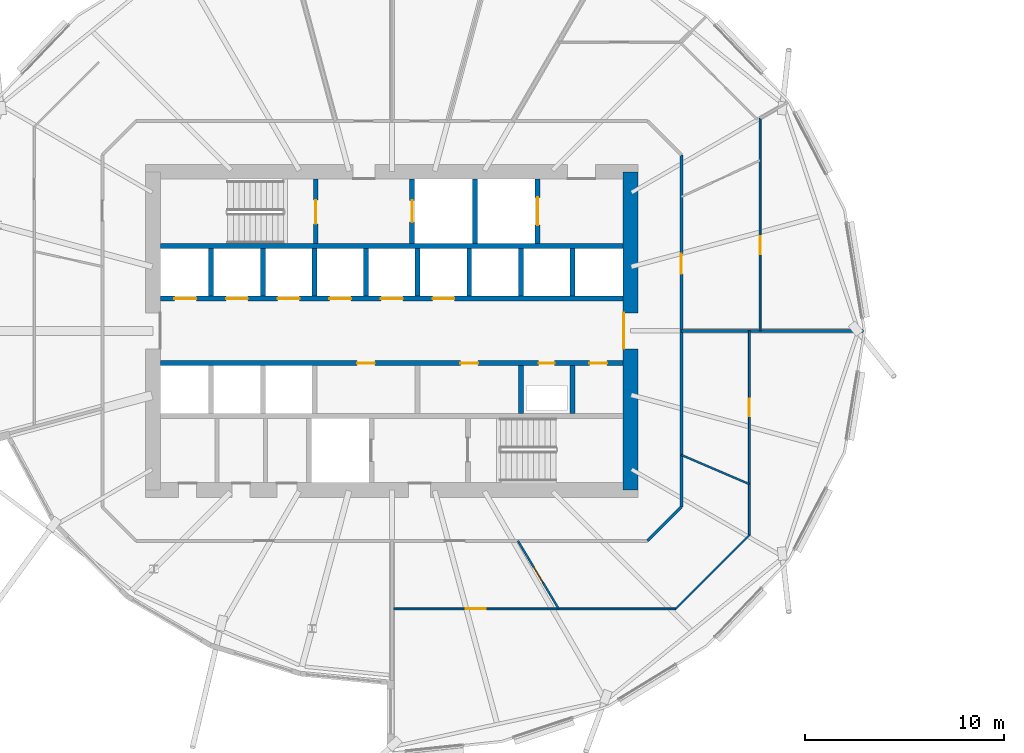
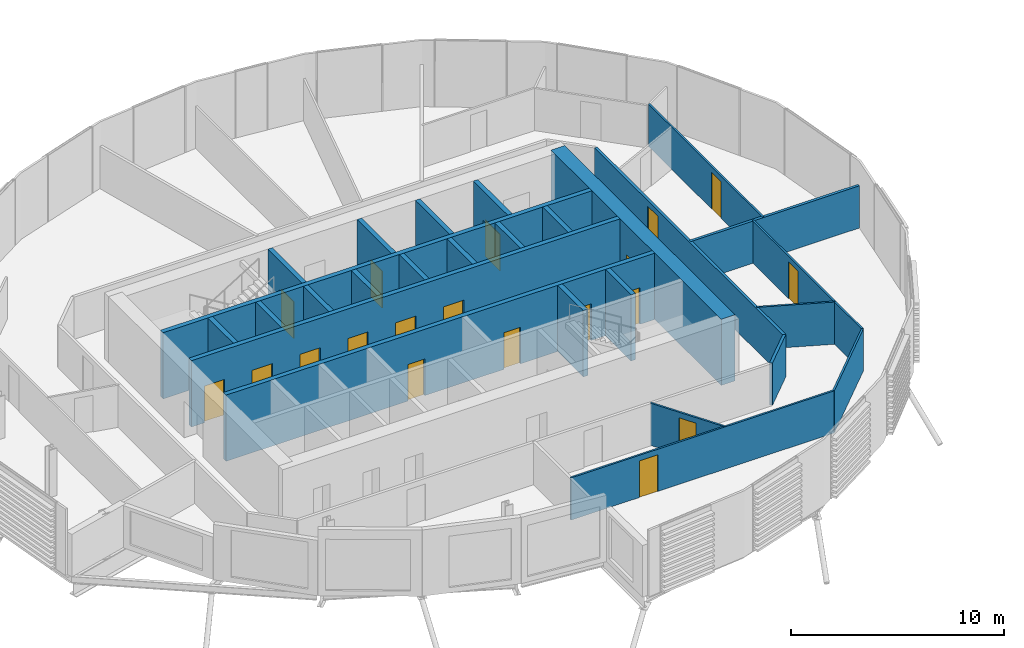
# One storey, part 23 of 42: 27 walls, 19 doors, 19 openings.
"""IFC4 building model written with IfcOpenShell, lengths in metres."""

from ifc_helpers import new_model, si_unit, direction, frame, frame_2d, origin, place, context, subcontext, project, spatial, rectangle, extrude, material, layer, layer_set, type_object, element, fill, save


model = new_model("IFC4")

# Units and contexts
model_context = context("Model", 3, precision=1e-05, world=origin(), true_north=direction((0.0, 1.0)))
body_context = subcontext(model_context, "Body", "Model", "MODEL_VIEW")
ifc_project = project(units=[si_unit("LENGTHUNIT", "METRE"), si_unit("AREAUNIT", "SQUARE_METRE"), si_unit("VOLUMEUNIT", "CUBIC_METRE"), si_unit("PLANEANGLEUNIT", "RADIAN"), si_unit("MASSUNIT", "GRAM", prefix="KILO")], contexts=[model_context])

# Site, building, storey
site_placement = place(None, origin())
site = spatial("IfcSite", under=ifc_project, at=site_placement, CompositionType="ELEMENT")
building_placement = place(site_placement, origin())
building = spatial("IfcBuilding", under=site, at=building_placement, Name="Rimbun Link Towers", CompositionType="ELEMENT")
storey_placement = place(building_placement, frame((0.0, 0.0, 85.39990234375)))
storey = spatial("IfcBuildingStorey", under=building, at=storey_placement, Name="L20", CompositionType="ELEMENT", Elevation=85.39990234375)

# Wall, opening, door
ifc_material_1 = material(Name="Concrete C60/75", Category="concrete")
ifc_layer_1 = layer(ifc_material_1, 0.75)
ifc_layer_set_1 = layer_set([ifc_layer_1], Name="Core shear wall 750")
wall_type_1 = type_object("IfcWallType", Name="Core shear wall 750", PredefinedType="SHEAR", material=ifc_layer_set_1)
wall_1_placement = place(storey_placement, frame((-19.75, -8.0, 0.0), z_axis=(0.0, 0.0, 1.0), x_axis=(0.0, 1.0, 0.0)))
wall_1 = element("IfcWall", 1, at=wall_1_placement, inside=storey, type_object=wall_type_1, Name="L20 T1 core wall E", PredefinedType="SHEAR", context=body_context, shape_type="SweptSolid", body=[
    extrude(rectangle(XDim=16.0, YDim=0.75, at=frame_2d((8.0, 0.0))), origin(), (0.0, 0.0, 1.0), 3.800048828125),
])
opening_1_placement = place(wall_1_placement, frame((7.10009765625, 0.0, 0.0)))
opening_1 = element("IfcOpeningElement", 2, at=opening_1_placement, cuts=wall_1, Name="Opening C1DCL01E", PredefinedType="OPENING", context=body_context, shape_type="SweptSolid", body=[
    extrude(rectangle(XDim=1.800048828125, YDim=2.10009765625, at=frame_2d((0.89990234375, 1.050048828125))), frame((0.0, 0.385009765625, 0.0), z_axis=(0.0, -1.0, 0.0), x_axis=(1.0, 0.0, 0.0)), (0.0, 0.0, 1.0), 0.77001953125),
])
ifc_material_2 = material(Name="Steel fire door set", Category="steel")
door_type_1 = type_object("IfcDoorType", Name="Core lobby door double", OperationType="DOUBLE_DOOR_SINGLE_SWING", PredefinedType="DOOR", material=ifc_material_2)
door_1_placement = place(opening_1_placement, origin())
door_1 = element("IfcDoor", 3, at=door_1_placement, inside=storey, type_object=door_type_1, Name="L20 T1 lift lobby door", OperationType="DOUBLE_DOOR_SINGLE_SWING", OverallHeight=2.10009765625, OverallWidth=1.800048828125, PredefinedType="DOOR", context=body_context, shape_type="SweptSolid", body=[
    extrude(rectangle(XDim=1.800048828125, YDim=2.10009765625, at=frame_2d((0.89990234375, 1.050048828125))), frame((0.0, 0.375, 0.0), z_axis=(0.0, -1.0, 0.0), x_axis=(1.0, 0.0, 0.0)), (0.0, 0.0, 1.0), 0.050048828125),
])
fill(opening_1, door_1)

ifc_material_3 = material(Name="Plasterboard on steel stud, mineral wool", Category="steel")
ifc_layer_2 = layer(ifc_material_3, 0.14990234375)
ifc_layer_set_2 = layer_set([ifc_layer_2], Name="Corridor wall EI 30 150 mm")
wall_type_2 = type_object("IfcWallType", Name="Corridor wall EI 30 150 mm", PredefinedType="PARTITIONING", material=ifc_layer_set_2)
wall_2_placement = place(storey_placement, frame((-17.199951171875, 8.851806640625, 0.0), z_axis=(0.0, 0.0, 1.0), x_axis=(0.0, -1.0, 0.0)))
wall_2 = element("IfcWall", 4, at=wall_2_placement, inside=storey, type_object=wall_type_2, Name="Corridor wall EI 30 150 mm", PredefinedType="PARTITIONING", context=body_context, shape_type="SweptSolid", body=[
    extrude(rectangle(XDim=17.70361328125, YDim=0.14990234375, at=frame_2d((8.851806640625, 0.0))), origin(), (0.0, 0.0, 1.0), 2.420166015625),
])
opening_2_placement = place(wall_2_placement, frame((4.982666015625, 0.0, 0.0)))
opening_2 = element("IfcOpeningElement", 5, at=opening_2_placement, cuts=wall_2, Name="Opening D01", PredefinedType="OPENING", context=body_context, shape_type="SweptSolid", body=[
    extrude(rectangle(XDim=1.0, YDim=2.10009765625, at=frame_2d((0.5, 1.050048828125))), frame((0.0, 0.0849609375, 0.0), z_axis=(0.0, -1.0, 0.0), x_axis=(1.0, 0.0, 0.0)), (0.0, 0.0, 1.0), 0.169921875),
])
ifc_material_4 = material(Name="Fire-resisting timber door leaf", Category="wood")
door_type_2 = type_object("IfcDoorType", Name="Fire door FD30S 1000", OperationType="NOTDEFINED", PredefinedType="DOOR", material=ifc_material_4)
door_2_placement = place(opening_2_placement, origin())
door_2 = element("IfcDoor", 6, at=door_2_placement, inside=storey, type_object=door_type_2, Name="Fire door FD30S 1000 to Reception", OperationType="SINGLE_SWING_RIGHT", OverallHeight=2.10009765625, OverallWidth=1.0, PredefinedType="DOOR", context=body_context, shape_type="SweptSolid", body=[
    extrude(rectangle(XDim=1.0, YDim=2.10009765625, at=frame_2d((0.5, 1.050048828125))), frame((0.0, 0.02490234375, 0.0), z_axis=(0.0, -1.0, 0.0), x_axis=(1.0, 0.0, 0.0)), (0.0, 0.0, 1.0), 0.050048828125),
])
fill(opening_2, door_2)

# Wall
wall_3_placement = place(storey_placement, frame((-18.898193359375, -10.550048828125, 0.0), z_axis=(0.0, 0.0, 1.0), x_axis=(0.707106781187, 0.707106781187, 0.0)))
element("IfcWall", 7, at=wall_3_placement, inside=storey, type_object=wall_type_2, Name="Corridor wall EI 30 150 mm", PredefinedType="PARTITIONING", context=body_context, shape_type="SweptSolid", body=[
    extrude(rectangle(XDim=2.401611328125, YDim=0.14990234375, at=frame_2d((1.20068359375, 0.0))), origin(), (0.0, 0.0, 1.0), 2.420166015625),
])

# Wall, opening, door
ifc_material_5 = material(Name="Plasterboard on steel stud", Category="steel")
ifc_layer_3 = layer(ifc_material_5, 0.10009765625)
ifc_layer_set_3 = layer_set([ifc_layer_3], Name="Plasterboard partition 100 mm")
wall_type_3 = type_object("IfcWallType", Name="Plasterboard partition 100 mm", PredefinedType="PARTITIONING", material=ifc_layer_set_3)
wall_4_placement = place(storey_placement, frame((-25.415283203125, -10.550048828125, 0.0), z_axis=(0.0, 0.0, 1.0), x_axis=(0.514774739867, -0.857325473315, 0.0)))
wall_4 = element("IfcWall", 8, at=wall_4_placement, inside=storey, type_object=wall_type_3, Name="Plasterboard partition 100 mm", PredefinedType="PARTITIONING", context=body_context, shape_type="SweptSolid", body=[
    extrude(rectangle(XDim=3.989013671875, YDim=0.10009765625, at=frame_2d((1.99462890625, 0.0))), origin(), (0.0, 0.0, 1.0), 2.420166015625),
])
opening_3_placement = place(wall_4_placement, frame((1.544677734375, 0.0, 0.0)))
opening_3 = element("IfcOpeningElement", 9, at=opening_3_placement, cuts=wall_4, Name="Opening D04", PredefinedType="OPENING", context=body_context, shape_type="SweptSolid", body=[
    extrude(rectangle(XDim=0.89990234375, YDim=2.10009765625, at=frame_2d((0.449951171875, 1.050048828125))), frame((0.0, 0.06005859375, 0.0), z_axis=(0.0, -1.0, 0.0), x_axis=(1.0, 0.0, 0.0)), (0.0, 0.0, 1.0), 0.1201171875),
])
ifc_material_6 = material(Name="Timber door leaf", Category="wood")
door_type_3 = type_object("IfcDoorType", Name="Flush door 900", OperationType="NOTDEFINED", PredefinedType="DOOR", material=ifc_material_6)
door_3_placement = place(opening_3_placement, origin())
door_3 = element("IfcDoor", 10, at=door_3_placement, inside=storey, type_object=door_type_3, Name="Flush door 900 to Meeting room", OperationType="SINGLE_SWING_RIGHT", OverallHeight=2.10009765625, OverallWidth=0.89990234375, PredefinedType="DOOR", context=body_context, shape_type="SweptSolid", body=[
    extrude(rectangle(XDim=0.89990234375, YDim=2.10009765625, at=frame_2d((0.449951171875, 1.050048828125))), frame((0.0, 0.02490234375, 0.0), z_axis=(0.0, -1.0, 0.0), x_axis=(1.0, 0.0, 0.0)), (0.0, 0.0, 1.0), 0.050048828125),
])
fill(opening_3, door_3)

wall_5_placement = place(storey_placement, frame((-17.481689453125, -13.969970703125, 0.0), z_axis=(0.0, 0.0, 1.0), x_axis=(-1.0, 0.0, 0.0)))
wall_5 = element("IfcWall", 11, at=wall_5_placement, inside=storey, type_object=wall_type_3, Name="Plasterboard partition 100 mm", PredefinedType="PARTITIONING", context=body_context, shape_type="SweptSolid", body=[
    extrude(rectangle(XDim=14.268310546875, YDim=0.10009765625, at=frame_2d((7.13427734375, 0.0))), origin(), (0.0, 0.0, 1.0), 2.420166015625),
])
opening_4_placement = place(wall_5_placement, frame((9.55908203125, 0.0, 0.0)))
opening_4 = element("IfcOpeningElement", 12, at=opening_4_placement, cuts=wall_5, Name="Opening D03", PredefinedType="OPENING", context=body_context, shape_type="SweptSolid", body=[
    extrude(rectangle(XDim=1.0, YDim=2.10009765625, at=frame_2d((0.5, 1.050048828125))), frame((0.0, 0.06005859375, 0.0), z_axis=(0.0, -1.0, 0.0), x_axis=(1.0, 0.0, 0.0)), (0.0, 0.0, 1.0), 0.1201171875),
])
ifc_material_7 = material(Name="Timber door leaf", Category="wood")
door_type_4 = type_object("IfcDoorType", Name="Flush door 1000", OperationType="NOTDEFINED", PredefinedType="DOOR", material=ifc_material_7)
door_4_placement = place(opening_4_placement, origin())
door_4 = element("IfcDoor", 13, at=door_4_placement, inside=storey, type_object=door_type_4, Name="Flush door 1000 to Open office", OperationType="SINGLE_SWING_LEFT", OverallHeight=2.10009765625, OverallWidth=1.0, PredefinedType="DOOR", context=body_context, shape_type="SweptSolid", body=[
    extrude(rectangle(XDim=1.0, YDim=2.10009765625, at=frame_2d((0.5, 1.050048828125))), frame((0.0, 0.02490234375, 0.0), z_axis=(0.0, -1.0, 0.0), x_axis=(1.0, 0.0, 0.0)), (0.0, 0.0, 1.0), 0.050048828125),
])
fill(opening_4, door_4)

# Walls
wall_6_placement = place(storey_placement, frame((-13.780029296875, -7.701904296875, 0.0), z_axis=(0.0, 0.0, 1.0), x_axis=(-0.919131454006, 0.393950974433, 0.0)))
element("IfcWall", 14, at=wall_6_placement, inside=storey, type_object=wall_type_3, Name="Plasterboard partition 100 mm", PredefinedType="PARTITIONING", context=body_context, shape_type="SweptSolid", body=[
    extrude(rectangle(XDim=3.720703125, YDim=0.10009765625, at=frame_2d((1.8603515625, 0.0))), origin(), (0.0, 0.0, 1.0), 2.420166015625),
])
wall_7_placement = place(storey_placement, frame((-17.481689453125, -13.969970703125, 0.0), z_axis=(0.0, 0.0, 1.0), x_axis=(0.707106781187, 0.707106781187, 0.0)))
element("IfcWall", 15, at=wall_7_placement, inside=storey, type_object=wall_type_3, Name="Plasterboard partition 100 mm", PredefinedType="PARTITIONING", context=body_context, shape_type="SweptSolid", body=[
    extrude(rectangle(XDim=5.23486328125, YDim=0.10009765625, at=frame_2d((2.617431640625, 0.0))), origin(), (0.0, 0.0, 1.0), 2.420166015625),
])

# Wall, opening, door
wall_8_placement = place(storey_placement, frame((-13.780029296875, -10.268310546875, 0.0), z_axis=(0.0, 0.0, 1.0), x_axis=(0.0, 1.0, 0.0)))
wall_8 = element("IfcWall", 16, at=wall_8_placement, inside=storey, type_object=wall_type_3, Name="Plasterboard partition 100 mm", PredefinedType="PARTITIONING", context=body_context, shape_type="SweptSolid", body=[
    extrude(rectangle(XDim=10.268310546875, YDim=0.10009765625, at=frame_2d((5.13427734375, 0.0))), origin(), (0.0, 0.0, 1.0), 2.420166015625),
])
opening_5_placement = place(wall_8_placement, frame((5.96728515625, 0.0, 0.0)))
opening_5 = element("IfcOpeningElement", 17, at=opening_5_placement, cuts=wall_8, Name="Opening D04", PredefinedType="OPENING", context=body_context, shape_type="SweptSolid", body=[
    extrude(rectangle(XDim=0.89990234375, YDim=2.10009765625, at=frame_2d((0.449951171875, 1.050048828125))), frame((0.0, 0.06005859375, 0.0), z_axis=(0.0, -1.0, 0.0), x_axis=(1.0, 0.0, 0.0)), (0.0, 0.0, 1.0), 0.1201171875),
])
door_5_placement = place(opening_5_placement, origin())
door_5 = element("IfcDoor", 18, at=door_5_placement, inside=storey, type_object=door_type_3, Name="Flush door 900 to Print room", OperationType="SINGLE_SWING_RIGHT", OverallHeight=2.10009765625, OverallWidth=0.89990234375, PredefinedType="DOOR", context=body_context, shape_type="SweptSolid", body=[
    extrude(rectangle(XDim=0.89990234375, YDim=2.10009765625, at=frame_2d((0.449951171875, 1.050048828125))), frame((0.0, 0.02490234375, 0.0), z_axis=(0.0, -1.0, 0.0), x_axis=(1.0, 0.0, 0.0)), (0.0, 0.0, 1.0), 0.050048828125),
])
fill(opening_5, door_5)

wall_9_placement = place(storey_placement, frame((-13.239990234375, 10.686767578125, 0.0), z_axis=(0.0, 0.0, 1.0), x_axis=(0.0, -1.0, 0.0)))
wall_9 = element("IfcWall", 19, at=wall_9_placement, inside=storey, type_object=wall_type_3, Name="Plasterboard partition 100 mm", PredefinedType="PARTITIONING", context=body_context, shape_type="SweptSolid", body=[
    extrude(rectangle(XDim=10.686767578125, YDim=0.10009765625, at=frame_2d((5.34326171875, 0.0))), origin(), (0.0, 0.0, 1.0), 2.420166015625),
])
opening_6_placement = place(wall_9_placement, frame((5.935791015625, 0.0, 0.0)))
opening_6 = element("IfcOpeningElement", 20, at=opening_6_placement, cuts=wall_9, Name="Opening D04", PredefinedType="OPENING", context=body_context, shape_type="SweptSolid", body=[
    extrude(rectangle(XDim=0.89990234375, YDim=2.10009765625, at=frame_2d((0.449951171875, 1.050048828125))), frame((0.0, 0.06005859375, 0.0), z_axis=(0.0, -1.0, 0.0), x_axis=(1.0, 0.0, 0.0)), (0.0, 0.0, 1.0), 0.1201171875),
])
door_6_placement = place(opening_6_placement, origin())
door_6 = element("IfcDoor", 21, at=door_6_placement, inside=storey, type_object=door_type_3, Name="Flush door 900 to Executive office", OperationType="SINGLE_SWING_LEFT", OverallHeight=2.10009765625, OverallWidth=0.89990234375, PredefinedType="DOOR", context=body_context, shape_type="SweptSolid", body=[
    extrude(rectangle(XDim=0.89990234375, YDim=2.10009765625, at=frame_2d((0.449951171875, 1.050048828125))), frame((0.0, 0.02490234375, 0.0), z_axis=(0.0, -1.0, 0.0), x_axis=(1.0, 0.0, 0.0)), (0.0, 0.0, 1.0), 0.050048828125),
])
fill(opening_6, door_6)

# Wall
ifc_material_8 = material(Name="Concrete C60/75", Category="concrete")
ifc_layer_4 = layer(ifc_material_8, 0.25)
ifc_layer_set_4 = layer_set([ifc_layer_4], Name="Shaft wall 250")
wall_type_4 = type_object("IfcWallType", Name="Shaft wall 250", PredefinedType="SHEAR", material=ifc_layer_set_4)
wall_10_placement = place(storey_placement, frame((-43.375, 4.27490234375, 0.0), z_axis=(0.0, 0.0, 1.0), x_axis=(1.0, 0.0, 0.0)))
element("IfcWall", 22, at=wall_10_placement, inside=storey, type_object=wall_type_4, Name="L20 T1 core wall BN", PredefinedType="SHEAR", context=body_context, shape_type="SweptSolid", body=[
    extrude(rectangle(XDim=23.25, YDim=0.25, at=frame_2d((11.625, 0.0))), origin(), (0.0, 0.0, 1.0), 3.800048828125),
])

# Wall, openings, doors
wall_11_placement = place(storey_placement, frame((-43.375, 1.625, 0.0), z_axis=(0.0, 0.0, 1.0), x_axis=(1.0, 0.0, 0.0)))
wall_11 = element("IfcWall", 23, at=wall_11_placement, inside=storey, type_object=wall_type_4, Name="L20 T1 core wall FN", PredefinedType="SHEAR", context=body_context, shape_type="SweptSolid", body=[
    extrude(rectangle(XDim=23.25, YDim=0.25, at=frame_2d((11.625, 0.0))), origin(), (0.0, 0.0, 1.0), 3.800048828125),
])
opening_7_placement = place(wall_11_placement, frame((0.697265625, 0.0, 0.0)))
opening_7 = element("IfcOpeningElement", 24, at=opening_7_placement, cuts=wall_11, Name="Opening LD-T1-LR1", PredefinedType="OPENING", context=body_context, shape_type="SweptSolid", body=[
    extrude(rectangle(XDim=1.10009765625, YDim=2.10009765625, at=frame_2d((0.550048828125, 1.050048828125))), frame((0.0, 0.135009765625, 0.0), z_axis=(0.0, -1.0, 0.0), x_axis=(1.0, 0.0, 0.0)), (0.0, 0.0, 1.0), 0.27001953125),
])
opening_8_placement = place(wall_11_placement, frame((3.291748046875, 0.0, 0.0)))
opening_8 = element("IfcOpeningElement", 25, at=opening_8_placement, cuts=wall_11, Name="Opening LD-T1-LR2", PredefinedType="OPENING", context=body_context, shape_type="SweptSolid", body=[
    extrude(rectangle(XDim=1.10009765625, YDim=2.10009765625, at=frame_2d((0.550048828125, 1.050048828125))), frame((0.0, 0.135009765625, 0.0), z_axis=(0.0, -1.0, 0.0), x_axis=(1.0, 0.0, 0.0)), (0.0, 0.0, 1.0), 0.27001953125),
])
opening_9_placement = place(wall_11_placement, frame((5.885986328125, 0.0, 0.0)))
opening_9 = element("IfcOpeningElement", 26, at=opening_9_placement, cuts=wall_11, Name="Opening LD-T1-LR3", PredefinedType="OPENING", context=body_context, shape_type="SweptSolid", body=[
    extrude(rectangle(XDim=1.10009765625, YDim=2.10009765625, at=frame_2d((0.550048828125, 1.050048828125))), frame((0.0, 0.135009765625, 0.0), z_axis=(0.0, -1.0, 0.0), x_axis=(1.0, 0.0, 0.0)), (0.0, 0.0, 1.0), 0.27001953125),
])
opening_10_placement = place(wall_11_placement, frame((8.480712890625, 0.0, 0.0)))
opening_10 = element("IfcOpeningElement", 27, at=opening_10_placement, cuts=wall_11, Name="Opening LD-T1-LR4", PredefinedType="OPENING", context=body_context, shape_type="SweptSolid", body=[
    extrude(rectangle(XDim=1.10009765625, YDim=2.10009765625, at=frame_2d((0.550048828125, 1.050048828125))), frame((0.0, 0.135009765625, 0.0), z_axis=(0.0, -1.0, 0.0), x_axis=(1.0, 0.0, 0.0)), (0.0, 0.0, 1.0), 0.27001953125),
])
opening_11_placement = place(wall_11_placement, frame((11.074951171875, 0.0, 0.0)))
opening_11 = element("IfcOpeningElement", 28, at=opening_11_placement, cuts=wall_11, Name="Opening LD-T1-LR5", PredefinedType="OPENING", context=body_context, shape_type="SweptSolid", body=[
    extrude(rectangle(XDim=1.10009765625, YDim=2.10009765625, at=frame_2d((0.550048828125, 1.050048828125))), frame((0.0, 0.135009765625, 0.0), z_axis=(0.0, -1.0, 0.0), x_axis=(1.0, 0.0, 0.0)), (0.0, 0.0, 1.0), 0.27001953125),
])
opening_12_placement = place(wall_11_placement, frame((13.66943359375, 0.0, 0.0)))
opening_12 = element("IfcOpeningElement", 29, at=opening_12_placement, cuts=wall_11, Name="Opening LD-T1-LR6", PredefinedType="OPENING", context=body_context, shape_type="SweptSolid", body=[
    extrude(rectangle(XDim=1.10009765625, YDim=2.10009765625, at=frame_2d((0.550048828125, 1.050048828125))), frame((0.0, 0.135009765625, 0.0), z_axis=(0.0, -1.0, 0.0), x_axis=(1.0, 0.0, 0.0)), (0.0, 0.0, 1.0), 0.27001953125),
])
ifc_material_9 = material(Name="Stainless steel grade 316", Category="steel")
door_type_5 = type_object("IfcDoorType", Name="Lift landing door", OperationType="DOUBLE_DOOR_SLIDING", PredefinedType="DOOR", material=ifc_material_9)
door_7_placement = place(opening_7_placement, origin())
door_7 = element("IfcDoor", 30, at=door_7_placement, inside=storey, type_object=door_type_5, Name="L20 T1 lift LR1 landing door", OperationType="DOUBLE_DOOR_SLIDING", OverallHeight=2.10009765625, OverallWidth=1.10009765625, PredefinedType="DOOR", context=body_context, shape_type="SweptSolid", body=[
    extrude(rectangle(XDim=1.10009765625, YDim=2.10009765625, at=frame_2d((0.550048828125, 1.050048828125))), frame((0.0, 0.02490234375, 0.0), z_axis=(0.0, -1.0, 0.0), x_axis=(1.0, 0.0, 0.0)), (0.0, 0.0, 1.0), 0.050048828125),
])
fill(opening_7, door_7)
door_8_placement = place(opening_8_placement, origin())
door_8 = element("IfcDoor", 31, at=door_8_placement, inside=storey, type_object=door_type_5, Name="L20 T1 lift LR2 landing door", OperationType="DOUBLE_DOOR_SLIDING", OverallHeight=2.10009765625, OverallWidth=1.10009765625, PredefinedType="DOOR", context=body_context, shape_type="SweptSolid", body=[
    extrude(rectangle(XDim=1.10009765625, YDim=2.10009765625, at=frame_2d((0.550048828125, 1.050048828125))), frame((0.0, 0.02490234375, 0.0), z_axis=(0.0, -1.0, 0.0), x_axis=(1.0, 0.0, 0.0)), (0.0, 0.0, 1.0), 0.050048828125),
])
fill(opening_8, door_8)
door_9_placement = place(opening_9_placement, origin())
door_9 = element("IfcDoor", 32, at=door_9_placement, inside=storey, type_object=door_type_5, Name="L20 T1 lift LR3 landing door", OperationType="DOUBLE_DOOR_SLIDING", OverallHeight=2.10009765625, OverallWidth=1.10009765625, PredefinedType="DOOR", context=body_context, shape_type="SweptSolid", body=[
    extrude(rectangle(XDim=1.10009765625, YDim=2.10009765625, at=frame_2d((0.550048828125, 1.050048828125))), frame((0.0, 0.02490234375, 0.0), z_axis=(0.0, -1.0, 0.0), x_axis=(1.0, 0.0, 0.0)), (0.0, 0.0, 1.0), 0.050048828125),
])
fill(opening_9, door_9)
door_10_placement = place(opening_10_placement, origin())
door_10 = element("IfcDoor", 33, at=door_10_placement, inside=storey, type_object=door_type_5, Name="L20 T1 lift LR4 landing door", OperationType="DOUBLE_DOOR_SLIDING", OverallHeight=2.10009765625, OverallWidth=1.10009765625, PredefinedType="DOOR", context=body_context, shape_type="SweptSolid", body=[
    extrude(rectangle(XDim=1.10009765625, YDim=2.10009765625, at=frame_2d((0.550048828125, 1.050048828125))), frame((0.0, 0.02490234375, 0.0), z_axis=(0.0, -1.0, 0.0), x_axis=(1.0, 0.0, 0.0)), (0.0, 0.0, 1.0), 0.050048828125),
])
fill(opening_10, door_10)
door_11_placement = place(opening_11_placement, origin())
door_11 = element("IfcDoor", 34, at=door_11_placement, inside=storey, type_object=door_type_5, Name="L20 T1 lift LR5 landing door", OperationType="DOUBLE_DOOR_SLIDING", OverallHeight=2.10009765625, OverallWidth=1.10009765625, PredefinedType="DOOR", context=body_context, shape_type="SweptSolid", body=[
    extrude(rectangle(XDim=1.10009765625, YDim=2.10009765625, at=frame_2d((0.550048828125, 1.050048828125))), frame((0.0, 0.02490234375, 0.0), z_axis=(0.0, -1.0, 0.0), x_axis=(1.0, 0.0, 0.0)), (0.0, 0.0, 1.0), 0.050048828125),
])
fill(opening_11, door_11)
door_12_placement = place(opening_12_placement, origin())
door_12 = element("IfcDoor", 35, at=door_12_placement, inside=storey, type_object=door_type_5, Name="L20 T1 lift LR6 landing door", OperationType="DOUBLE_DOOR_SLIDING", OverallHeight=2.10009765625, OverallWidth=1.10009765625, PredefinedType="DOOR", context=body_context, shape_type="SweptSolid", body=[
    extrude(rectangle(XDim=1.10009765625, YDim=2.10009765625, at=frame_2d((0.550048828125, 1.050048828125))), frame((0.0, 0.02490234375, 0.0), z_axis=(0.0, -1.0, 0.0), x_axis=(1.0, 0.0, 0.0)), (0.0, 0.0, 1.0), 0.050048828125),
])
fill(opening_12, door_12)

wall_12_placement = place(storey_placement, frame((-43.375, -1.625, 0.0), z_axis=(0.0, 0.0, 1.0), x_axis=(1.0, 0.0, 0.0)))
wall_12 = element("IfcWall", 36, at=wall_12_placement, inside=storey, type_object=wall_type_4, Name="L20 T1 core wall FS", PredefinedType="SHEAR", context=body_context, shape_type="SweptSolid", body=[
    extrude(rectangle(XDim=23.25, YDim=0.25, at=frame_2d((11.625, 0.0))), origin(), (0.0, 0.0, 1.0), 3.800048828125),
])
opening_13_placement = place(wall_12_placement, frame((9.877685546875, 0.0, 0.0)))
opening_13 = element("IfcOpeningElement", 37, at=opening_13_placement, cuts=wall_12, Name="Opening C1DRS01FS", PredefinedType="OPENING", context=body_context, shape_type="SweptSolid", body=[
    extrude(rectangle(XDim=0.89990234375, YDim=2.10009765625, at=frame_2d((0.449951171875, 1.050048828125))), frame((0.0, 0.135009765625, 0.0), z_axis=(0.0, -1.0, 0.0), x_axis=(1.0, 0.0, 0.0)), (0.0, 0.0, 1.0), 0.27001953125),
])
opening_14_placement = place(wall_12_placement, frame((15.066650390625, 0.0, 0.0)))
opening_14 = element("IfcOpeningElement", 38, at=opening_14_placement, cuts=wall_12, Name="Opening C1DRS02FS", PredefinedType="OPENING", context=body_context, shape_type="SweptSolid", body=[
    extrude(rectangle(XDim=0.89990234375, YDim=2.10009765625, at=frame_2d((0.449951171875, 1.050048828125))), frame((0.0, 0.135009765625, 0.0), z_axis=(0.0, -1.0, 0.0), x_axis=(1.0, 0.0, 0.0)), (0.0, 0.0, 1.0), 0.27001953125),
])
opening_15_placement = place(wall_12_placement, frame((19.00830078125, 0.0, 0.0)))
opening_15 = element("IfcOpeningElement", 39, at=opening_15_placement, cuts=wall_12, Name="Opening C1DRA03FS", PredefinedType="OPENING", context=body_context, shape_type="SweptSolid", body=[
    extrude(rectangle(XDim=0.800048828125, YDim=2.10009765625, at=frame_2d((0.39990234375, 1.050048828125))), frame((0.0, 0.135009765625, 0.0), z_axis=(0.0, -1.0, 0.0), x_axis=(1.0, 0.0, 0.0)), (0.0, 0.0, 1.0), 0.27001953125),
])
opening_16_placement = place(wall_12_placement, frame((21.552734375, 0.0, 0.0)))
opening_16 = element("IfcOpeningElement", 40, at=opening_16_placement, cuts=wall_12, Name="Opening C1DRS04FS", PredefinedType="OPENING", context=body_context, shape_type="SweptSolid", body=[
    extrude(rectangle(XDim=0.89990234375, YDim=2.10009765625, at=frame_2d((0.449951171875, 1.050048828125))), frame((0.0, 0.135009765625, 0.0), z_axis=(0.0, -1.0, 0.0), x_axis=(1.0, 0.0, 0.0)), (0.0, 0.0, 1.0), 0.27001953125),
])
ifc_material_10 = material(Name="Steel fire door set", Category="steel")
door_type_6 = type_object("IfcDoorType", Name="Core riser door", OperationType="SINGLE_SWING_LEFT", PredefinedType="DOOR", material=ifc_material_10)
door_13_placement = place(opening_13_placement, origin())
door_13 = element("IfcDoor", 41, at=door_13_placement, inside=storey, type_object=door_type_6, Name="L20 T1 archive store door", OperationType="SINGLE_SWING_LEFT", OverallHeight=2.10009765625, OverallWidth=0.89990234375, PredefinedType="DOOR", context=body_context, shape_type="SweptSolid", body=[
    extrude(rectangle(XDim=0.89990234375, YDim=2.10009765625, at=frame_2d((0.449951171875, 1.050048828125))), frame((0.0, 0.02490234375, 0.0), z_axis=(0.0, -1.0, 0.0), x_axis=(1.0, 0.0, 0.0)), (0.0, 0.0, 1.0), 0.050048828125),
])
fill(opening_13, door_13)
door_14_placement = place(opening_14_placement, origin())
door_14 = element("IfcDoor", 42, at=door_14_placement, inside=storey, type_object=door_type_6, Name="L20 T1 pantry door", OperationType="SINGLE_SWING_LEFT", OverallHeight=2.10009765625, OverallWidth=0.89990234375, PredefinedType="DOOR", context=body_context, shape_type="SweptSolid", body=[
    extrude(rectangle(XDim=0.89990234375, YDim=2.10009765625, at=frame_2d((0.449951171875, 1.050048828125))), frame((0.0, 0.02490234375, 0.0), z_axis=(0.0, -1.0, 0.0), x_axis=(1.0, 0.0, 0.0)), (0.0, 0.0, 1.0), 0.050048828125),
])
fill(opening_14, door_14)
door_15_placement = place(opening_16_placement, origin())
door_15 = element("IfcDoor", 43, at=door_15_placement, inside=storey, type_object=door_type_6, Name="L20 T1 staff store door", OperationType="SINGLE_SWING_LEFT", OverallHeight=2.10009765625, OverallWidth=0.89990234375, PredefinedType="DOOR", context=body_context, shape_type="SweptSolid", body=[
    extrude(rectangle(XDim=0.89990234375, YDim=2.10009765625, at=frame_2d((0.449951171875, 1.050048828125))), frame((0.0, 0.02490234375, 0.0), z_axis=(0.0, -1.0, 0.0), x_axis=(1.0, 0.0, 0.0)), (0.0, 0.0, 1.0), 0.050048828125),
])
fill(opening_16, door_15)
ifc_material_11 = material(Name="Steel fire door set", Category="steel")
door_type_7 = type_object("IfcDoorType", Name="Riser access door 800 x 2100", OperationType="SINGLE_SWING_LEFT", PredefinedType="DOOR", material=ifc_material_11)
door_16_placement = place(opening_15_placement, origin())
door_16 = element("IfcDoor", 44, at=door_16_placement, inside=storey, type_object=door_type_7, Name="L20 T1 riser cupboard door", OperationType="SINGLE_SWING_RIGHT", OverallHeight=2.10009765625, OverallWidth=0.800048828125, PredefinedType="DOOR", context=body_context, shape_type="SweptSolid", body=[
    extrude(rectangle(XDim=0.800048828125, YDim=2.10009765625, at=frame_2d((0.39990234375, 1.050048828125))), frame((0.0, 0.02490234375, 0.0), z_axis=(0.0, -1.0, 0.0), x_axis=(1.0, 0.0, 0.0)), (0.0, 0.0, 1.0), 0.050048828125),
])
fill(opening_15, door_16)

# Walls
for number, where, z_axis, x_axis, name in (
    (45, (-40.83056640625, 1.75, 0.0), (0.0, 0.0, 1.0), (0.0, 1.0, 0.0), "L20 T1 core wall DN0"),
    (46, (-38.236083984375, 1.75, 0.0), (0.0, 0.0, 1.0), (0.0, 1.0, 0.0), "L20 T1 core wall DN1"),
    (47, (-35.6416015625, 1.75, 0.0), (0.0, 0.0, 1.0), (0.0, 1.0, 0.0), "L20 T1 core wall DN2"),
    (48, (-33.047119140625, 1.75, 0.0), (0.0, 0.0, 1.0), (0.0, 1.0, 0.0), "L20 T1 core wall DN3"),
    (49, (-30.452880859375, 1.75, 0.0), (0.0, 0.0, 1.0), (0.0, 1.0, 0.0), "L20 T1 core wall DN4"),
    (50, (-27.8583984375, 1.75, 0.0), (0.0, 0.0, 1.0), (0.0, 1.0, 0.0), "L20 T1 core wall DN5"),
    (51, (-25.263916015625, 1.75, 0.0), (0.0, 0.0, 1.0), (0.0, 1.0, 0.0), "L20 T1 core wall DN6"),
    (52, (-22.66943359375, 1.75, 0.0), (0.0, 0.0, 1.0), (0.0, 1.0, 0.0), "L20 T1 core wall DN7"),
    (53, (-25.263916015625, -4.14990234375, 0.0), (0.0, 0.0, 1.0), (0.0, 1.0, 0.0), "L20 T1 core wall DS6"),
    (54, (-22.66943359375, -4.14990234375, 0.0), (0.0, 0.0, 1.0), (0.0, 1.0, 0.0), "L20 T1 core wall DS7"),
):
    element("IfcWall", number, at=place(storey_placement, frame(where, z_axis=z_axis, x_axis=x_axis)), inside=storey, type_object=wall_type_4, Name=name, PredefinedType="SHEAR", context=body_context, shape_type="SweptSolid", body=[
        extrude(rectangle(XDim=2.39990234375, YDim=0.25, at=frame_2d((1.199951171875, 0.0))), origin(), (0.0, 0.0, 1.0), 3.800048828125),
    ])

# Wall, opening, door
wall_13_placement = place(storey_placement, frame((-35.574951171875, 4.39990234375, 0.0), z_axis=(0.0, 0.0, 1.0), x_axis=(0.0, 1.0, 0.0)))
wall_13 = element("IfcWall", 55, at=wall_13_placement, inside=storey, type_object=wall_type_4, Name="L20 T1 core wall A1", PredefinedType="SHEAR", context=body_context, shape_type="SweptSolid", body=[
    extrude(rectangle(XDim=3.22509765625, YDim=0.25, at=frame_2d((1.612548828125, 0.0))), origin(), (0.0, 0.0, 1.0), 3.800048828125),
])
opening_17_placement = place(wall_13_placement, frame((0.97509765625, 0.0, 0.0)))
opening_17 = element("IfcOpeningElement", 56, at=opening_17_placement, cuts=wall_13, Name="Opening C1DST01A1", PredefinedType="OPENING", context=body_context, shape_type="SweptSolid", body=[
    extrude(rectangle(XDim=1.199951171875, YDim=2.10009765625, at=frame_2d((0.60009765625, 1.050048828125))), frame((0.0, 0.135009765625, 0.0), z_axis=(0.0, -1.0, 0.0), x_axis=(1.0, 0.0, 0.0)), (0.0, 0.0, 1.0), 0.27001953125),
])
ifc_material_12 = material(Name="Steel fire door set", Category="steel")
door_type_8 = type_object("IfcDoorType", Name="Stair door", OperationType="SINGLE_SWING_LEFT", PredefinedType="DOOR", material=ifc_material_12)
door_17_placement = place(opening_17_placement, origin())
door_17 = element("IfcDoor", 57, at=door_17_placement, inside=storey, type_object=door_type_8, Name="L20 T1 stair a door", OperationType="SINGLE_SWING_RIGHT", OverallHeight=2.10009765625, OverallWidth=1.199951171875, PredefinedType="DOOR", context=body_context, shape_type="SweptSolid", body=[
    extrude(rectangle(XDim=1.199951171875, YDim=2.10009765625, at=frame_2d((0.60009765625, 1.050048828125))), frame((0.0, 0.02490234375, 0.0), z_axis=(0.0, -1.0, 0.0), x_axis=(1.0, 0.0, 0.0)), (0.0, 0.0, 1.0), 0.050048828125),
])
fill(opening_17, door_17)

wall_14_placement = place(storey_placement, frame((-30.72509765625, 4.39990234375, 0.0), z_axis=(0.0, 0.0, 1.0), x_axis=(0.0, 1.0, 0.0)))
wall_14 = element("IfcWall", 58, at=wall_14_placement, inside=storey, type_object=wall_type_4, Name="L20 T1 core wall A2", PredefinedType="SHEAR", context=body_context, shape_type="SweptSolid", body=[
    extrude(rectangle(XDim=3.22509765625, YDim=0.25, at=frame_2d((1.612548828125, 0.0))), origin(), (0.0, 0.0, 1.0), 3.800048828125),
])
opening_18_placement = place(wall_14_placement, frame((1.0625, 0.0, 0.0)))
opening_18 = element("IfcOpeningElement", 59, at=opening_18_placement, cuts=wall_14, Name="Opening LD-T1-FF1", PredefinedType="OPENING", context=body_context, shape_type="SweptSolid", body=[
    extrude(rectangle(XDim=1.10009765625, YDim=2.10009765625, at=frame_2d((0.550048828125, 1.050048828125))), frame((0.0, 0.135009765625, 0.0), z_axis=(0.0, -1.0, 0.0), x_axis=(1.0, 0.0, 0.0)), (0.0, 0.0, 1.0), 0.27001953125),
])
door_18_placement = place(opening_18_placement, origin())
door_18 = element("IfcDoor", 60, at=door_18_placement, inside=storey, type_object=door_type_5, Name="L20 T1 lift FF1 landing door", OperationType="DOUBLE_DOOR_SLIDING", OverallHeight=2.10009765625, OverallWidth=1.10009765625, PredefinedType="DOOR", context=body_context, shape_type="SweptSolid", body=[
    extrude(rectangle(XDim=1.10009765625, YDim=2.10009765625, at=frame_2d((0.550048828125, 1.050048828125))), frame((0.0, 0.02490234375, 0.0), z_axis=(0.0, -1.0, 0.0), x_axis=(1.0, 0.0, 0.0)), (0.0, 0.0, 1.0), 0.050048828125),
])
fill(opening_18, door_18)

# Wall
wall_15_placement = place(storey_placement, frame((-27.574951171875, 4.39990234375, 0.0), z_axis=(0.0, 0.0, 1.0), x_axis=(0.0, 1.0, 0.0)))
element("IfcWall", 61, at=wall_15_placement, inside=storey, type_object=wall_type_4, Name="L20 T1 core wall A3", PredefinedType="SHEAR", context=body_context, shape_type="SweptSolid", body=[
    extrude(rectangle(XDim=3.22509765625, YDim=0.25, at=frame_2d((1.612548828125, 0.0))), origin(), (0.0, 0.0, 1.0), 3.800048828125),
])

# Wall, opening, door
wall_16_placement = place(storey_placement, frame((-24.425048828125, 4.39990234375, 0.0), z_axis=(0.0, 0.0, 1.0), x_axis=(0.0, 1.0, 0.0)))
wall_16 = element("IfcWall", 62, at=wall_16_placement, inside=storey, type_object=wall_type_4, Name="L20 T1 core wall A4", PredefinedType="SHEAR", context=body_context, shape_type="SweptSolid", body=[
    extrude(rectangle(XDim=3.22509765625, YDim=0.25, at=frame_2d((1.612548828125, 0.0))), origin(), (0.0, 0.0, 1.0), 3.800048828125),
])
opening_19_placement = place(wall_16_placement, frame((0.91259765625, 0.0, 0.0)))
opening_19 = element("IfcOpeningElement", 63, at=opening_19_placement, cuts=wall_16, Name="Opening LD-T1-GL1", PredefinedType="OPENING", context=body_context, shape_type="SweptSolid", body=[
    extrude(rectangle(XDim=1.39990234375, YDim=2.10009765625, at=frame_2d((0.699951171875, 1.050048828125))), frame((0.0, 0.135009765625, 0.0), z_axis=(0.0, -1.0, 0.0), x_axis=(1.0, 0.0, 0.0)), (0.0, 0.0, 1.0), 0.27001953125),
])
ifc_material_13 = material(Name="Stainless steel grade 316", Category="steel")
door_type_9 = type_object("IfcDoorType", Name="Goods lift landing door", OperationType="DOUBLE_DOOR_SLIDING", PredefinedType="DOOR", material=ifc_material_13)
door_19_placement = place(opening_19_placement, origin())
door_19 = element("IfcDoor", 64, at=door_19_placement, inside=storey, type_object=door_type_9, Name="L20 T1 lift GL1 landing door", OperationType="DOUBLE_DOOR_SLIDING", OverallHeight=2.10009765625, OverallWidth=1.39990234375, PredefinedType="DOOR", context=body_context, shape_type="SweptSolid", body=[
    extrude(rectangle(XDim=1.39990234375, YDim=2.10009765625, at=frame_2d((0.699951171875, 1.050048828125))), frame((0.0, 0.02490234375, 0.0), z_axis=(0.0, -1.0, 0.0), x_axis=(1.0, 0.0, 0.0)), (0.0, 0.0, 1.0), 0.050048828125),
])
fill(opening_19, door_19)

# Wall
ifc_material_14 = material(Name="Plasterboard on steel stud, mineral wool", Category="steel")
ifc_layer_5 = layer(ifc_material_14, 0.14990234375)
ifc_layer_set_5 = layer_set([ifc_layer_5], Name="Tenancy separation wall EI 60 150 mm")
wall_type_5 = type_object("IfcWallType", Name="Tenancy separation wall EI 60 150 mm", PredefinedType="PARTITIONING", material=ifc_layer_set_5)
wall_17_placement = place(storey_placement, frame((-17.199951171875, 0.0, 0.0), z_axis=(0.0, 0.0, 1.0), x_axis=(1.0, 0.0, 0.0)))
element("IfcWall", 65, at=wall_17_placement, inside=storey, type_object=wall_type_5, Name="Tenancy separation wall EI 60 150 mm", PredefinedType="PARTITIONING", context=body_context, shape_type="SweptSolid", body=[
    extrude(rectangle(XDim=9.15576171875, YDim=0.14990234375, at=frame_2d((4.577880859375, 0.0))), origin(), (0.0, 0.0, 1.0), 2.420166015625),
])

save(model, "model.ifc")
